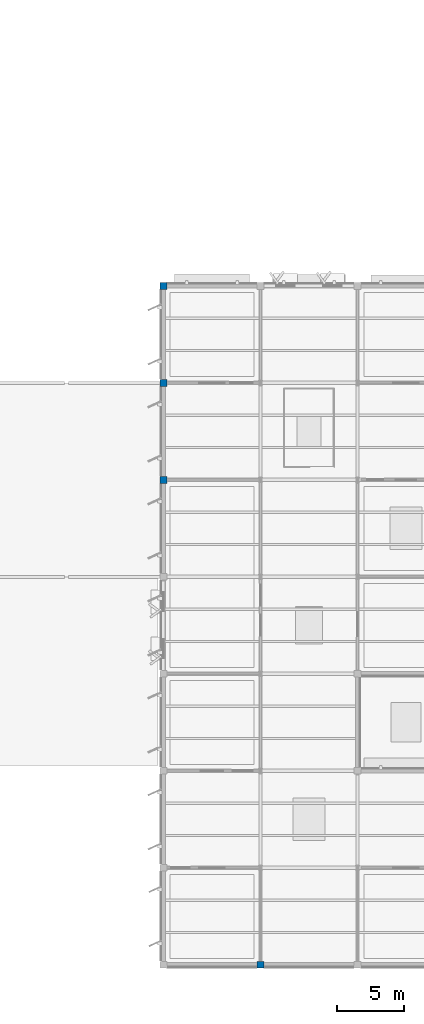
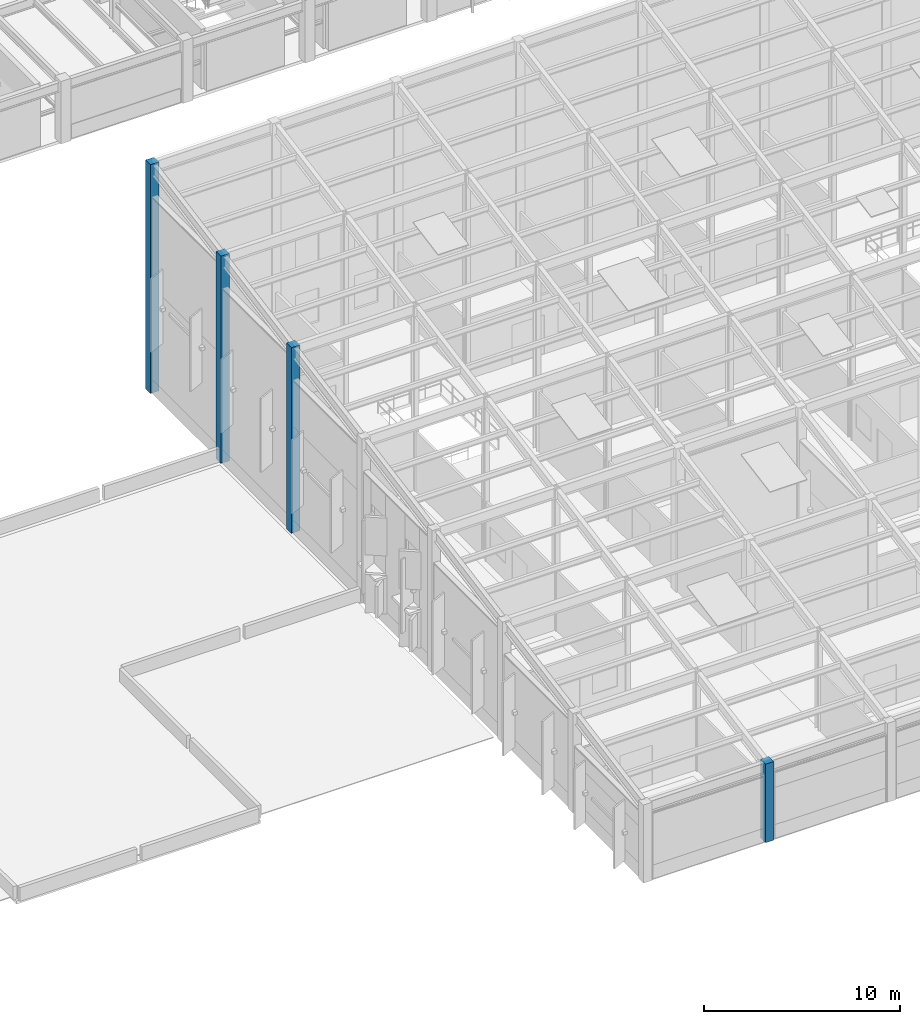
# One storey, part 3 of 82: 4 columns.
"""IFC4 building model written with IfcOpenShell, lengths in metres."""

from ifc_helpers import new_model, si_unit, direction, frame, origin, origin_2d, place, context, subcontext, project, spatial, rectangle, extrude, material, material_profile, profile_set, type_object, element, save


model = new_model("IFC4")

# Units and contexts
model_context = context("Model", 3, precision=1e-05, world=origin(), true_north=direction((0.0, 1.0)))
body_context = subcontext(model_context, "Body", "Model", "MODEL_VIEW")
ifc_project = project(units=[si_unit("LENGTHUNIT", "METRE"), si_unit("AREAUNIT", "SQUARE_METRE"), si_unit("VOLUMEUNIT", "CUBIC_METRE"), si_unit("PLANEANGLEUNIT", "RADIAN"), si_unit("MASSUNIT", "GRAM", prefix="KILO")], contexts=[model_context])

# Site, building, storey
site_placement = place(None, origin())
site = spatial("IfcSite", under=ifc_project, at=site_placement, CompositionType="ELEMENT")
building_placement = place(site_placement, origin())
building = spatial("IfcBuilding", under=site, at=building_placement, Name="Sillqori Civic Hall", CompositionType="ELEMENT")
storey_placement = place(building_placement, frame((0.0, 0.0, 14.10009765625)))
storey = spatial("IfcBuildingStorey", under=building, at=storey_placement, Name="L04", CompositionType="ELEMENT", Elevation=14.10009765625)

# Columns
ifc_material = material(Name="Concrete C35/45 (H35)", Category="concrete")
ifc_material_profile = material_profile(ifc_material, rectangle(XDim=0.5, YDim=0.5, at=origin_2d()), Name="RC 500x500")
ifc_profile_set = profile_set([ifc_material_profile], Name="Concrete C35/45 (H35)")
column_type = type_object("IfcColumnType", Name="COL-RC500", PredefinedType="COLUMN", material=ifc_profile_set)
column_1_placement = place(storey_placement, frame((64.800048828125, 43.199951171875, 0.0), z_axis=(0.0, 0.0, 1.0), x_axis=(1.0, 0.0, 0.0)))
element("IfcColumn", 1, at=column_1_placement, inside=storey, type_object=column_type, Name="L04 column 9-6", PredefinedType="COLUMN", context=body_context, shape_type="SweptSolid", body=[
    extrude(rectangle(XDim=0.5, YDim=0.5, at=origin_2d()), origin(), (0.0, 0.0, 1.0), 11.59033203125),
])
column_2_placement = place(storey_placement, frame((64.800048828125, 50.39990234375, 0.0), z_axis=(0.0, 0.0, 1.0), x_axis=(1.0, 0.0, 0.0)))
element("IfcColumn", 2, at=column_2_placement, inside=storey, type_object=column_type, Name="L04 column 9-7", PredefinedType="COLUMN", context=body_context, shape_type="SweptSolid", body=[
    extrude(rectangle(XDim=0.5, YDim=0.5, at=origin_2d()), origin(), (0.0, 0.0, 1.0), 12.93310546875),
])
column_3_placement = place(storey_placement, frame((64.800048828125, 57.60009765625, 0.0), z_axis=(0.0, 0.0, 1.0), x_axis=(1.0, 0.0, 0.0)))
element("IfcColumn", 3, at=column_3_placement, inside=storey, type_object=column_type, Name="L04 column 9-8", PredefinedType="COLUMN", context=body_context, shape_type="SweptSolid", body=[
    extrude(rectangle(XDim=0.5, YDim=0.5, at=origin_2d()), origin(), (0.0, 0.0, 1.0), 14.276123046875),
])
column_4_placement = place(storey_placement, frame((72.0, 7.199951171875, 0.0), z_axis=(0.0, 0.0, 1.0), x_axis=(1.0, 0.0, 0.0)))
element("IfcColumn", 4, at=column_4_placement, inside=storey, type_object=column_type, Name="L04 column 10-1", PredefinedType="COLUMN", context=body_context, shape_type="SweptSolid", body=[
    extrude(rectangle(XDim=0.5, YDim=0.5, at=origin_2d()), origin(), (0.0, 0.0, 1.0), 4.90478515625),
])

save(model, "model.ifc")
